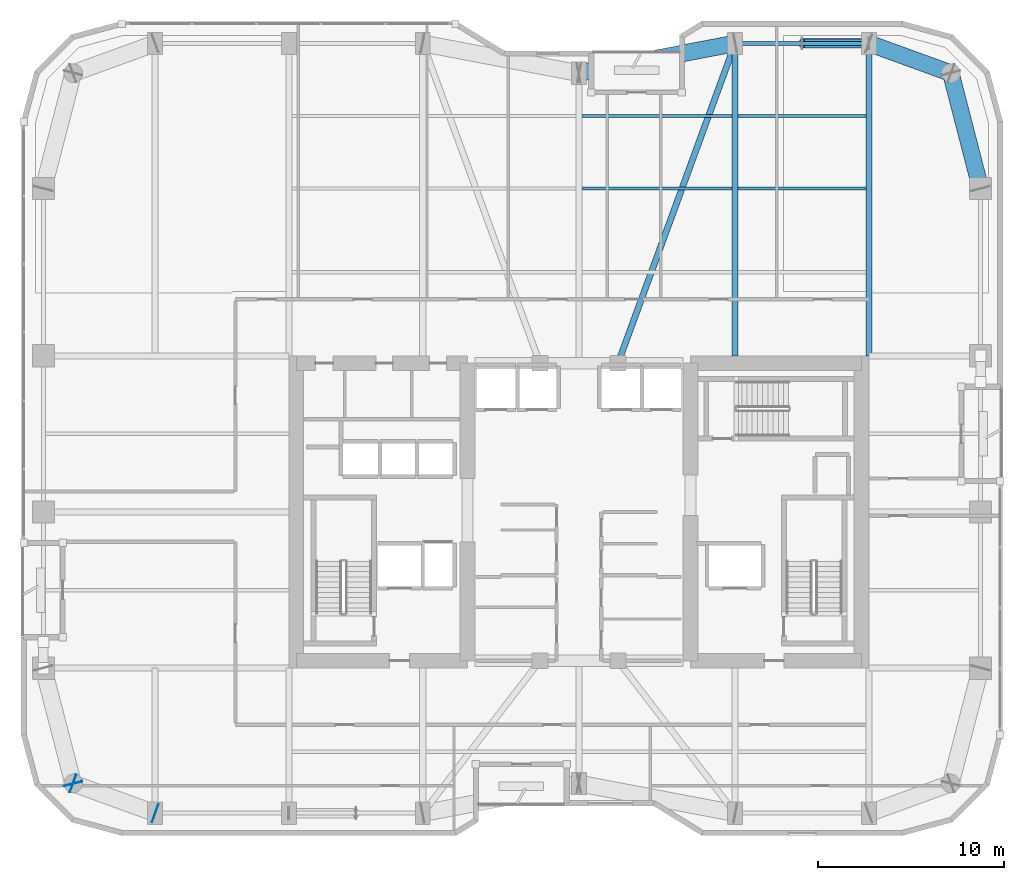
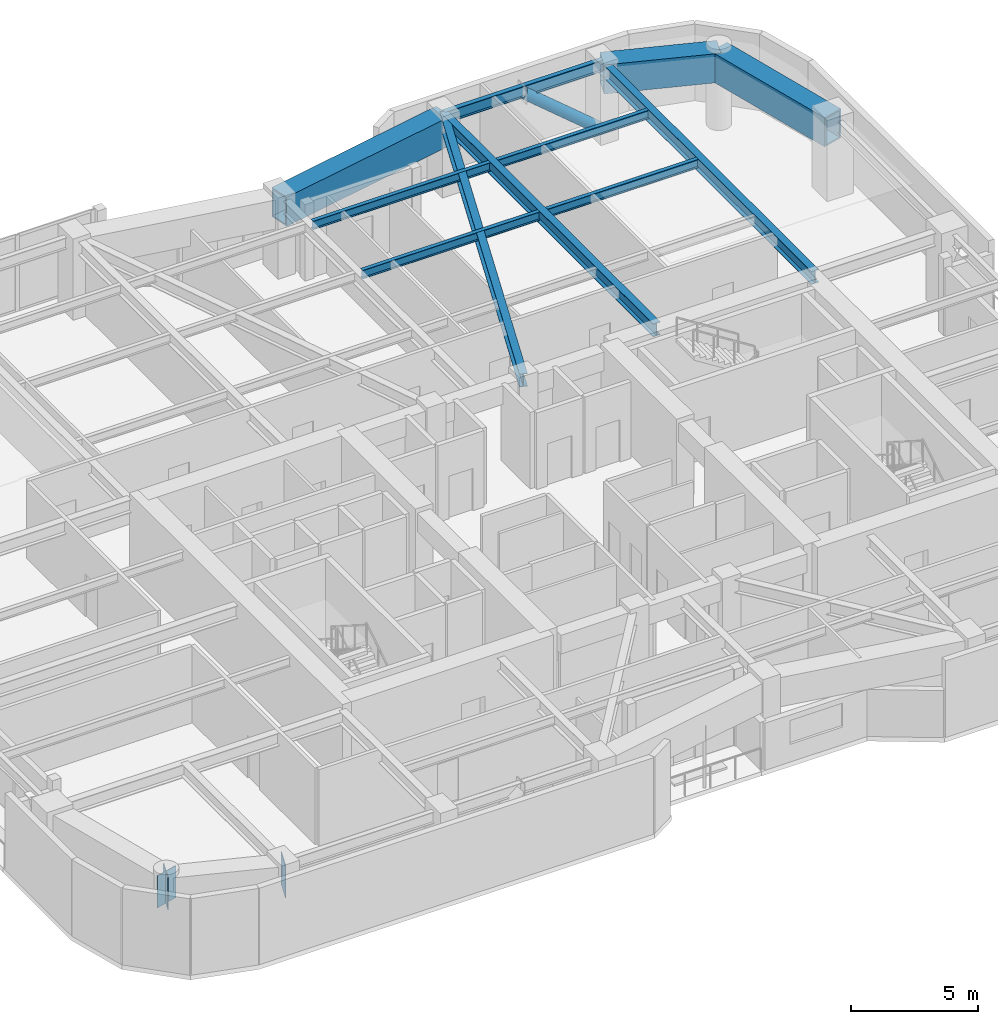
# One storey, part 20 of 30: 11 beams, 3 plates, 1 member.
"""IFC4 building model written with IfcOpenShell, lengths in metres."""

from ifc_helpers import new_model, si_unit, direction, frame, origin, origin_2d, place, context, subcontext, project, spatial, rectangle, hollow_rectangle, hollow_circle, i_section, extrude, material, layer, layer_set, material_profile, profile_set, type_object, element, save


model = new_model("IFC4")

# Units and contexts
model_context = context("Model", 3, precision=1e-05, world=origin(), true_north=direction((0.0, 1.0)))
body_context = subcontext(model_context, "Body", "Model", "MODEL_VIEW")
ifc_project = project(units=[si_unit("LENGTHUNIT", "METRE"), si_unit("AREAUNIT", "SQUARE_METRE"), si_unit("VOLUMEUNIT", "CUBIC_METRE"), si_unit("PLANEANGLEUNIT", "RADIAN"), si_unit("MASSUNIT", "GRAM", prefix="KILO")], contexts=[model_context])

# Site, building, storey
site_placement = place(None, origin())
site = spatial("IfcSite", under=ifc_project, at=site_placement, CompositionType="ELEMENT")
building_placement = place(site_placement, origin())
building = spatial("IfcBuilding", under=site, at=building_placement, Name="Kiyonajd Concourse Tower", CompositionType="ELEMENT")
storey_placement = place(building_placement, frame((0.0, 0.0, 174.0)))
storey = spatial("IfcBuildingStorey", under=building, at=storey_placement, Name="L44", CompositionType="ELEMENT", Elevation=174.0)

# Beams
ifc_material_1 = material(Name="Steel ASTM A992 Grade 50", Category="steel")
ifc_material_profile_1 = material_profile(ifc_material_1, i_section(OverallWidth=0.180908203125, OverallDepth=0.4169921875, WebThickness=0.010986328125, FlangeThickness=0.018310546875, at=origin_2d()), Name="W410X85")
ifc_profile_set_1 = profile_set([ifc_material_profile_1], Name="Steel ASTM A992 Grade 50")
beam_type_1 = type_object("IfcBeamType", Name="BM-JST-410", PredefinedType="JOIST", material=ifc_profile_set_1)
beam_1_placement = place(storey_placement, frame((48.16357421875, 53.39990234375, 3.471435546875), z_axis=(1.0, 0.0, 0.0), x_axis=(0.0, 1.0, 0.0)))
element("IfcBeam", 1, at=beam_1_placement, inside=storey, type_object=beam_type_1, Name="L44 Secondary Floor Joist", PredefinedType="JOIST", context=body_context, shape_type="SweptSolid", body=[
    extrude(i_section(OverallWidth=0.180908203125, OverallDepth=0.4169921875, WebThickness=0.010986328125, FlangeThickness=0.018310546875, at=origin_2d()), origin(), (0.0, 0.0, 1.0), 8.072998046875),
])
beam_2_placement = place(storey_placement, frame((56.5634765625, 53.39990234375, 3.471435546875), z_axis=(1.0, 0.0, 0.0), x_axis=(0.0, 1.0, 0.0)))
element("IfcBeam", 2, at=beam_2_placement, inside=storey, type_object=beam_type_1, Name="L44 Secondary Floor Joist", PredefinedType="JOIST", context=body_context, shape_type="SweptSolid", body=[
    extrude(i_section(OverallWidth=0.180908203125, OverallDepth=0.4169921875, WebThickness=0.010986328125, FlangeThickness=0.018310546875, at=origin_2d()), origin(), (0.0, 0.0, 1.0), 6.873046875),
])
beam_3_placement = place(storey_placement, frame((48.16357421875, 57.300048828125, 3.471435546875), z_axis=(1.0, 0.0, 0.0), x_axis=(0.0, 1.0, 0.0)))
element("IfcBeam", 3, at=beam_3_placement, inside=storey, type_object=beam_type_1, Name="L44 Secondary Floor Joist", PredefinedType="JOIST", context=body_context, shape_type="SweptSolid", body=[
    extrude(i_section(OverallWidth=0.180908203125, OverallDepth=0.4169921875, WebThickness=0.010986328125, FlangeThickness=0.018310546875, at=origin_2d()), origin(), (0.0, 0.0, 1.0), 8.072998046875),
])
beam_4_placement = place(storey_placement, frame((56.5634765625, 57.300048828125, 3.471435546875), z_axis=(1.0, 0.0, 0.0), x_axis=(0.0, 1.0, 0.0)))
element("IfcBeam", 4, at=beam_4_placement, inside=storey, type_object=beam_type_1, Name="L44 Secondary Floor Joist", PredefinedType="JOIST", context=body_context, shape_type="SweptSolid", body=[
    extrude(i_section(OverallWidth=0.180908203125, OverallDepth=0.4169921875, WebThickness=0.010986328125, FlangeThickness=0.018310546875, at=origin_2d()), origin(), (0.0, 0.0, 1.0), 6.873046875),
])
ifc_material_profile_2 = material_profile(ifc_material_1, i_section(OverallWidth=0.214111328125, OverallDepth=0.549072265625, WebThickness=0.0146484375, FlangeThickness=0.023681640625, at=origin_2d()), Name="W530X138")
ifc_profile_set_2 = profile_set([ifc_material_profile_2], Name="Steel ASTM A992 Grade 50")
beam_type_2 = type_object("IfcBeamType", Name="BM-SPAN-530A", PredefinedType="SPANDREL", material=ifc_profile_set_2)
beam_5_placement = place(storey_placement, frame((63.60009765625, 61.199951171875, 3.405517578125), z_axis=(-1.0, 0.0, 0.0), x_axis=(0.0, -1.0, 0.0)))
element("IfcBeam", 5, at=beam_5_placement, inside=storey, type_object=beam_type_2, Name="L44 Perimeter Bundled Tube Spandrel", PredefinedType="SPANDREL", context=body_context, shape_type="SweptSolid", body=[
    extrude(i_section(OverallWidth=0.214111328125, OverallDepth=0.549072265625, WebThickness=0.0146484375, FlangeThickness=0.023681640625, at=origin_2d()), origin(), (0.0, 0.0, 1.0), 7.2001953125),
])
ifc_material_profile_3 = material_profile(ifc_material_1, i_section(OverallWidth=0.326904296875, OverallDepth=0.6220703125, WebThickness=0.015380859375, FlangeThickness=0.0244140625, at=origin_2d()), Name="W610X195")
ifc_profile_set_3 = profile_set([ifc_material_profile_3], Name="Steel ASTM A992 Grade 50")
beam_type_3 = type_object("IfcBeamType", Name="BM-TWR-610A", PredefinedType="BEAM", material=ifc_profile_set_3)
beam_6_placement = place(storey_placement, frame((50.10009765625, 44.0, 3.368896484375), z_axis=(0.343925269715, 0.938997022813, 0.0), x_axis=(-0.938997022813, 0.343925269715, 0.0)))
element("IfcBeam", 6, at=beam_6_placement, inside=storey, type_object=beam_type_3, Name="L44 Core Tie Girder", PredefinedType="BEAM", context=body_context, shape_type="SweptSolid", body=[
    extrude(i_section(OverallWidth=0.326904296875, OverallDepth=0.6220703125, WebThickness=0.015380859375, FlangeThickness=0.0244140625, at=origin_2d()), origin(), (0.0, 0.0, 1.0), 18.3173828125),
])
for number, where, z_axis, x_axis, name in (
    (7, (56.39990234375, 44.39990234375, 3.368896484375), (0.0, 1.0, 0.0), (-1.0, 0.0, 0.0), "L44 North Lease Girder"),
    (8, (63.60009765625, 44.39990234375, 3.368896484375), (0.0, 1.0, 0.0), (-1.0, 0.0, 0.0), "L44 North Lease Girder"),
):
    element("IfcBeam", number, at=place(storey_placement, frame(where, z_axis=z_axis, x_axis=x_axis)), inside=storey, type_object=beam_type_3, Name=name, PredefinedType="BEAM", context=body_context, shape_type="SweptSolid", body=[
        extrude(i_section(OverallWidth=0.326904296875, OverallDepth=0.6220703125, WebThickness=0.015380859375, FlangeThickness=0.0244140625, at=origin_2d()), origin(), (0.0, 0.0, 1.0), 16.800048828125),
    ])
ifc_material_2 = material(Name="Steel ASTM A572 Grade 50", Category="steel")
ifc_material_profile_4 = material_profile(ifc_material_2, hollow_rectangle(XDim=0.89990234375, YDim=1.39990234375, WallThickness=0.070068359375, at=origin_2d()), Name="BOX-1400x900x70")
ifc_profile_set_4 = profile_set([ifc_material_profile_4], Name="Steel ASTM A572 Grade 50")
beam_type_4 = type_object("IfcBeamType", Name="BM-XFER-1400", PredefinedType="BEAM", material=ifc_profile_set_4)
beam_7_placement = place(storey_placement, frame((69.60009765625, 53.39990234375, 2.97998046875), z_axis=(-0.249884937687, 0.968275538221, 0.0), x_axis=(-0.968275538221, -0.249884937687, 0.0)))
element("IfcBeam", 9, at=beam_7_placement, inside=storey, type_object=beam_type_4, Name="L44 Perimeter Bundled Tube Spandrel", PredefinedType="BEAM", context=body_context, shape_type="SweptSolid", body=[
    extrude(hollow_rectangle(XDim=0.89990234375, YDim=1.39990234375, WallThickness=0.070068359375, at=origin_2d()), origin(), (0.0, 0.0, 1.0), 6.4033203125),
])
beam_8_placement = place(storey_placement, frame((68.0, 59.60009765625, 2.97998046875), z_axis=(-0.939801036019, 0.341722127901, 0.0), x_axis=(-0.341722127901, -0.939801036019, 0.0)))
element("IfcBeam", 10, at=beam_8_placement, inside=storey, type_object=beam_type_4, Name="L44 Perimeter Bundled Tube Spandrel", PredefinedType="BEAM", context=body_context, shape_type="SweptSolid", body=[
    extrude(hollow_rectangle(XDim=0.89990234375, YDim=1.39990234375, WallThickness=0.070068359375, at=origin_2d()), origin(), (0.0, 0.0, 1.0), 4.681640625),
])
beam_9_placement = place(storey_placement, frame((56.39990234375, 61.199951171875, 2.97998046875), z_axis=(-0.982341315253, -0.187097675953, 0.0), x_axis=(0.187097675953, -0.982341315253, 0.0)))
element("IfcBeam", 11, at=beam_9_placement, inside=storey, type_object=beam_type_4, Name="L44 Perimeter Bundled Tube Spandrel", PredefinedType="BEAM", context=body_context, shape_type="SweptSolid", body=[
    extrude(hollow_rectangle(XDim=0.89990234375, YDim=1.39990234375, WallThickness=0.070068359375, at=origin_2d()), origin(), (0.0, 0.0, 1.0), 8.55078125),
])

# Member
ifc_material_3 = material(Name="Steel ASTM A500 Grade C", Category="steel")
ifc_material_profile_5 = material_profile(ifc_material_3, hollow_circle(Radius=0.25390625, WallThickness=0.02197265625, at=origin_2d()), Name="CHS-508x22")
ifc_profile_set_5 = profile_set([ifc_material_profile_5], Name="Steel ASTM A500 Grade C")
member_type = type_object("IfcMemberType", Name="MB-PB-MID", PredefinedType="BRACE", material=ifc_profile_set_5)
member_placement = place(storey_placement, frame((63.60009765625, 61.199951171875, 0.300048828125), z_axis=(-0.765082043761, 0.0, 0.643932811957), x_axis=(0.0, -1.0, 0.0)))
element("IfcMember", 12, at=member_placement, inside=storey, type_object=member_type, Name="L44 Upper Zone Hollow Tube Brace PBN", PredefinedType="BRACE", context=body_context, shape_type="SweptSolid", body=[
    extrude(hollow_circle(Radius=0.25390625, WallThickness=0.02197265625, at=origin_2d()), origin(), (0.0, 0.0, 1.0), 4.70556640625),
])

# Plates
ifc_layer = layer(ifc_material_2, 0.031982421875)
ifc_layer_set = layer_set([ifc_layer], Name="Steel ASTM A572 Grade 50")
plate_type = type_object("IfcPlateType", Name="PL-CAP-540", PredefinedType="USERDEFINED", material=ifc_layer_set)
for number, where, z_axis, x_axis, name in (
    (13, (20.802734375, 21.389404296875, 2.2099609375), (0.0, 0.0, 1.0), (0.249873048837, -0.968278606324, 0.0), "L44 Welded Box Girder End Cap"),
    (14, (20.789794921875, 21.40380859375, 2.2099609375), (0.0, 0.0, 1.0), (-0.939811951086, 0.341692107891, 0.0), "L44 Welded Box Girder End Cap"),
    (15, (25.210205078125, 19.796142578125, 2.2099609375), (0.0, 0.0, 1.0), (0.939811951086, -0.341692107891, 0.0), "L44 Welded Box Girder End Cap"),
):
    element("IfcPlate", number, at=place(storey_placement, frame(where, z_axis=z_axis, x_axis=x_axis)), inside=storey, type_object=plate_type, Name=name, ObjectType="CAP PLATE", PredefinedType="USERDEFINED", context=body_context, shape_type="SweptSolid", body=[
        extrude(rectangle(XDim=0.035888671875, YDim=1.02001953125, at=origin_2d()), origin(), (0.0, 0.0, 1.0), 1.5400390625),
    ])

save(model, "model.ifc")
